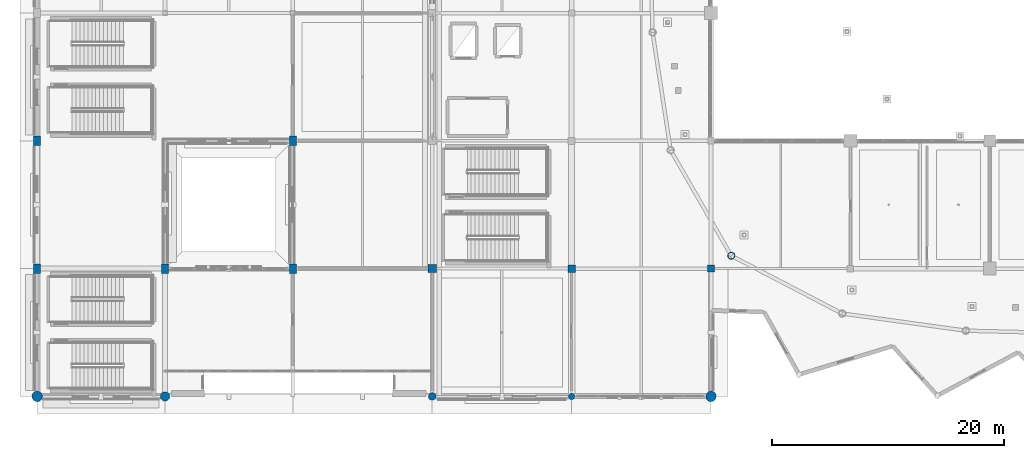
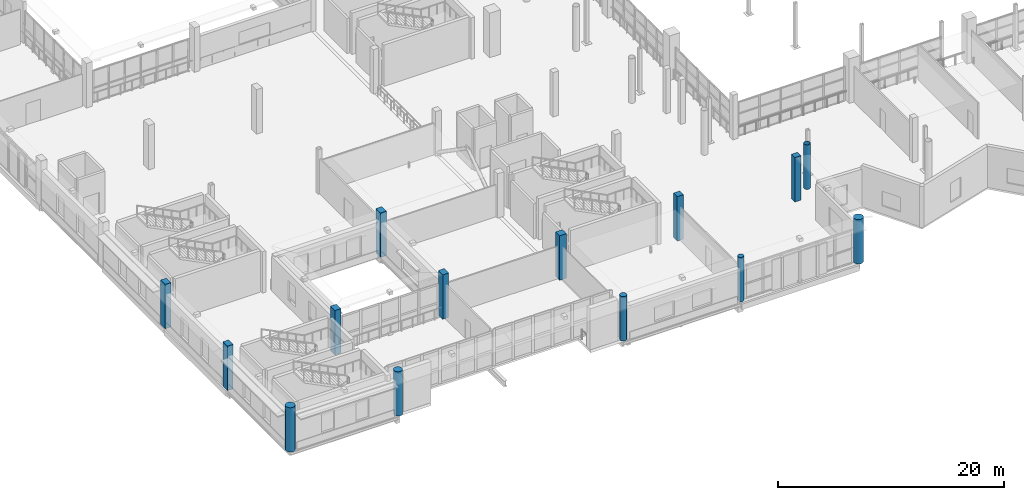
# One storey, part 1 of 143: 14 columns.
"""IFC4 building model written with IfcOpenShell, lengths in metres."""

from ifc_helpers import new_model, si_unit, direction, frame, origin, origin_2d, place, context, subcontext, project, spatial, rectangle, circle, hollow_circle, extrude, material, material_profile, profile_set, type_object, element, save


model = new_model("IFC4")

# Units and contexts
model_context = context("Model", 3, precision=1e-05, world=origin(), true_north=direction((0.0, 1.0)))
body_context = subcontext(model_context, "Body", "Model", "MODEL_VIEW")
ifc_project = project(units=[si_unit("LENGTHUNIT", "METRE"), si_unit("AREAUNIT", "SQUARE_METRE"), si_unit("VOLUMEUNIT", "CUBIC_METRE"), si_unit("PLANEANGLEUNIT", "RADIAN"), si_unit("MASSUNIT", "GRAM", prefix="KILO")], contexts=[model_context])

# Site, building, storey
site_placement = place(None, origin())
site = spatial("IfcSite", under=ifc_project, at=site_placement, CompositionType="ELEMENT")
building_placement = place(site_placement, origin())
building = spatial("IfcBuilding", under=site, at=building_placement, Name="Luwafu Chhajja Arena", CompositionType="ELEMENT")
storey_placement = place(building_placement, frame((0.0, 0.0, 5.39990234375)))
storey = spatial("IfcBuildingStorey", under=building, at=storey_placement, Name="L01", CompositionType="ELEMENT", Elevation=5.39990234375)

# Columns
ifc_material_1 = material(Name="Concrete C35/45", Category="concrete")
ifc_material_profile_1 = material_profile(ifc_material_1, circle(Radius=0.324951171875, at=origin_2d()), Name="RC COL D650")
ifc_profile_set_1 = profile_set([ifc_material_profile_1], Name="Concrete C35/45")
column_type_1 = type_object("IfcColumnType", Name="Courtyard Arcade Pier D650", PredefinedType="COLUMN", material=ifc_profile_set_1)
column_1_placement = place(storey_placement, frame((34.0, 0.0, 0.0), z_axis=(0.0, 0.0, 1.0), x_axis=(1.0, 0.0, 0.0)))
element("IfcColumn", 1, at=column_1_placement, inside=storey, type_object=column_type_1, Name="L01 Grid Column 4/A", PredefinedType="COLUMN", context=body_context, shape_type="SweptSolid", body=[
    extrude(circle(Radius=0.324951171875, at=origin_2d()), origin(), (0.0, 0.0, 1.0), 4.800048828125),
])
ifc_material_2 = material(Name="Concrete C40/50", Category="concrete")
ifc_material_profile_2 = material_profile(ifc_material_2, circle(Radius=0.39990234375, at=origin_2d()), Name="RC COL D800")
ifc_profile_set_2 = profile_set([ifc_material_profile_2], Name="Concrete C40/50")
column_type_2 = type_object("IfcColumnType", Name="Foyer Rotunda Pier D800", PredefinedType="COLUMN", material=ifc_profile_set_2)
column_2_placement = place(storey_placement, frame((11.0, 0.0, 0.0), z_axis=(0.0, 0.0, 1.0), x_axis=(1.0, 0.0, 0.0)))
element("IfcColumn", 2, at=column_2_placement, inside=storey, type_object=column_type_2, Name="L01 Grid Column 2/A", PredefinedType="COLUMN", context=body_context, shape_type="SweptSolid", body=[
    extrude(circle(Radius=0.39990234375, at=origin_2d()), origin(), (0.0, 0.0, 1.0), 4.800048828125),
])
ifc_material_profile_3 = material_profile(ifc_material_1, rectangle(XDim=0.60009765625, YDim=0.60009765625, at=origin_2d()), Name="RC 600x600")
ifc_profile_set_3 = profile_set([ifc_material_profile_3], Name="Concrete C35/45")
column_type_3 = type_object("IfcColumnType", Name="Mezzanine Column RC 600", PredefinedType="COLUMN", material=ifc_profile_set_3)
column_3_placement = place(storey_placement, frame((58.0, 11.0, 0.0), z_axis=(0.0, 0.0, 1.0), x_axis=(1.0, 0.0, 0.0)))
element("IfcColumn", 3, at=column_3_placement, inside=storey, type_object=column_type_3, Name="L01 Grid Column 6/B", PredefinedType="COLUMN", context=body_context, shape_type="SweptSolid", body=[
    extrude(rectangle(XDim=0.60009765625, YDim=0.60009765625, at=origin_2d()), origin(), (0.0, 0.0, 1.0), 4.800048828125),
])
ifc_material_profile_4 = material_profile(ifc_material_2, circle(Radius=0.449951171875, at=origin_2d()), Name="RC COL D900")
ifc_profile_set_4 = profile_set([ifc_material_profile_4], Name="Concrete C40/50")
column_type_4 = type_object("IfcColumnType", Name="Mughal Colonnade Drum Pier D900", PredefinedType="COLUMN", material=ifc_profile_set_4)
for number, where, z_axis, x_axis, name in (
    (4, (0.0, 0.0, 0.0), (0.0, 0.0, 1.0), (1.0, 0.0, 0.0), "L01 Grid Column 1/A"),
    (5, (58.0, 0.0, 0.0), (0.0, 0.0, 1.0), (1.0, 0.0, 0.0), "L01 Grid Column 6/A"),
):
    element("IfcColumn", number, at=place(storey_placement, frame(where, z_axis=z_axis, x_axis=x_axis)), inside=storey, type_object=column_type_4, Name=name, PredefinedType="COLUMN", context=body_context, shape_type="SweptSolid", body=[
        extrude(circle(Radius=0.449951171875, at=origin_2d()), origin(), (0.0, 0.0, 1.0), 4.800048828125),
    ])
ifc_material_profile_5 = material_profile(ifc_material_2, rectangle(XDim=0.60009765625, YDim=0.800048828125, at=origin_2d()), Name="RC 600x800")
ifc_profile_set_5 = profile_set([ifc_material_profile_5], Name="Concrete C40/50")
column_type_5 = type_object("IfcColumnType", Name="Pishtaq Pier Column RC 600x800", PredefinedType="COLUMN", material=ifc_profile_set_5)
for number, where, z_axis, x_axis, name in (
    (6, (0.0, 11.0, 0.0), (0.0, 0.0, 1.0), (1.0, 0.0, 0.0), "L01 Grid Column 1/B"),
    (7, (0.0, 22.0, 0.0), (0.0, 0.0, 1.0), (1.0, 0.0, 0.0), "L01 Grid Column 1/C"),
    (8, (11.0, 11.0, 0.0), (0.0, 0.0, 1.0), (1.0, 0.0, 0.0), "L01 Grid Column 2/B"),
    (9, (22.0, 11.0, 0.0), (0.0, 0.0, 1.0), (1.0, 0.0, 0.0), "L01 Grid Column 3/B"),
    (10, (22.0, 22.0, 0.0), (0.0, 0.0, 1.0), (1.0, 0.0, 0.0), "L01 Grid Column 3/C"),
):
    element("IfcColumn", number, at=place(storey_placement, frame(where, z_axis=z_axis, x_axis=x_axis)), inside=storey, type_object=column_type_5, Name=name, PredefinedType="COLUMN", context=body_context, shape_type="SweptSolid", body=[
        extrude(rectangle(XDim=0.60009765625, YDim=0.800048828125, at=origin_2d()), origin(), (0.0, 0.0, 1.0), 4.800048828125),
    ])
ifc_material_3 = material(Name="Steel S355", Category="steel")
ifc_material_profile_6 = material_profile(ifc_material_3, hollow_circle(Radius=0.304931640625, WallThickness=0.02490234375, at=origin_2d()), Name="CHS 610x25")
ifc_profile_set_6 = profile_set([ifc_material_profile_6], Name="Steel S355")
column_type_6 = type_object("IfcColumnType", Name="Steel Bowl Drum Column CHS 610", PredefinedType="COLUMN", material=ifc_profile_set_6)
column_4_placement = place(storey_placement, frame((59.743896484375, 12.109130859375, 0.0), z_axis=(0.0, 0.0, 1.0), x_axis=(1.0, 0.0, 0.0)))
element("IfcColumn", 11, at=column_4_placement, inside=storey, type_object=column_type_6, Name="L01 Bowl Drum Column D21", PredefinedType="COLUMN", context=body_context, shape_type="SweptSolid", body=[
    extrude(hollow_circle(Radius=0.304931640625, WallThickness=0.02490234375, at=origin_2d()), origin(), (0.0, 0.0, 1.0), 4.800048828125),
])
ifc_material_profile_7 = material_profile(ifc_material_1, circle(Radius=0.27490234375, at=origin_2d()), Name="RC COL D550")
ifc_profile_set_7 = profile_set([ifc_material_profile_7], Name="Concrete C35/45")
column_type_7 = type_object("IfcColumnType", Name="Terrace Loggia Pier D550", PredefinedType="COLUMN", material=ifc_profile_set_7)
column_5_placement = place(storey_placement, frame((46.0, 0.0, 0.0), z_axis=(0.0, 0.0, 1.0), x_axis=(1.0, 0.0, 0.0)))
element("IfcColumn", 12, at=column_5_placement, inside=storey, type_object=column_type_7, Name="L01 Grid Column 5/A", PredefinedType="COLUMN", context=body_context, shape_type="SweptSolid", body=[
    extrude(circle(Radius=0.27490234375, at=origin_2d()), origin(), (0.0, 0.0, 1.0), 4.800048828125),
])
ifc_material_profile_8 = material_profile(ifc_material_1, rectangle(XDim=0.64990234375, YDim=0.64990234375, at=origin_2d()), Name="RC 650x650")
ifc_profile_set_8 = profile_set([ifc_material_profile_8], Name="Concrete C35/45")
column_type_8 = type_object("IfcColumnType", Name="Upper Wing Column RC 650", PredefinedType="COLUMN", material=ifc_profile_set_8)
column_6_placement = place(storey_placement, frame((46.0, 11.0, 0.0), z_axis=(0.0, 0.0, 1.0), x_axis=(1.0, 0.0, 0.0)))
element("IfcColumn", 13, at=column_6_placement, inside=storey, type_object=column_type_8, Name="L01 Grid Column 5/B", PredefinedType="COLUMN", context=body_context, shape_type="SweptSolid", body=[
    extrude(rectangle(XDim=0.64990234375, YDim=0.64990234375, at=origin_2d()), origin(), (0.0, 0.0, 1.0), 4.800048828125),
])
ifc_material_profile_9 = material_profile(ifc_material_1, rectangle(XDim=0.699951171875, YDim=0.699951171875, at=origin_2d()), Name="RC 700x700")
ifc_profile_set_9 = profile_set([ifc_material_profile_9], Name="Concrete C35/45")
column_type_9 = type_object("IfcColumnType", Name="Wing Frame Column RC 700", PredefinedType="COLUMN", material=ifc_profile_set_9)
column_7_placement = place(storey_placement, frame((34.0, 11.0, 0.0), z_axis=(0.0, 0.0, 1.0), x_axis=(1.0, 0.0, 0.0)))
element("IfcColumn", 14, at=column_7_placement, inside=storey, type_object=column_type_9, Name="L01 Grid Column 4/B", PredefinedType="COLUMN", context=body_context, shape_type="SweptSolid", body=[
    extrude(rectangle(XDim=0.699951171875, YDim=0.699951171875, at=origin_2d()), origin(), (0.0, 0.0, 1.0), 4.800048828125),
])

save(model, "model.ifc")
